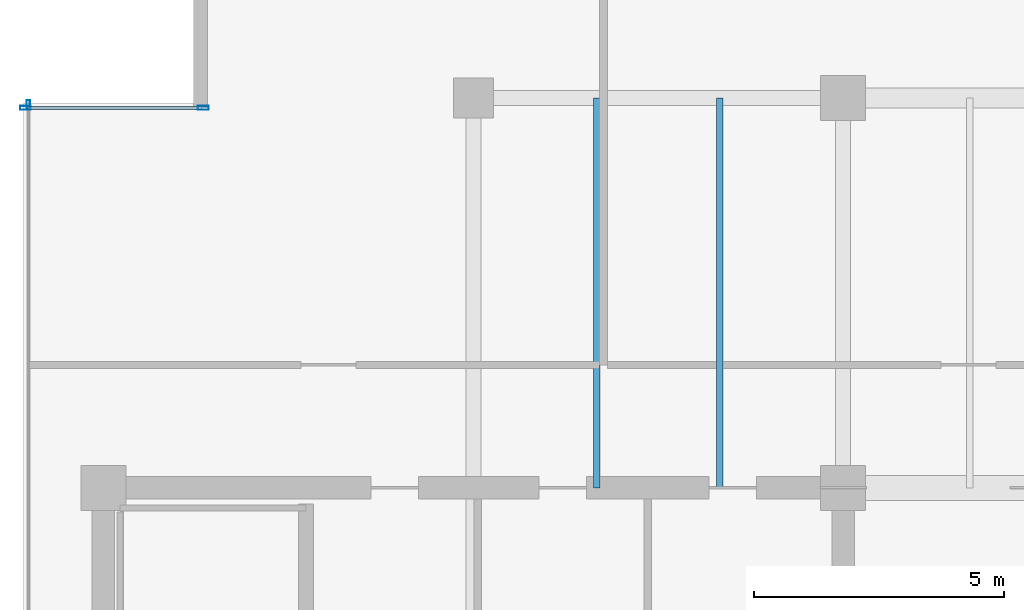
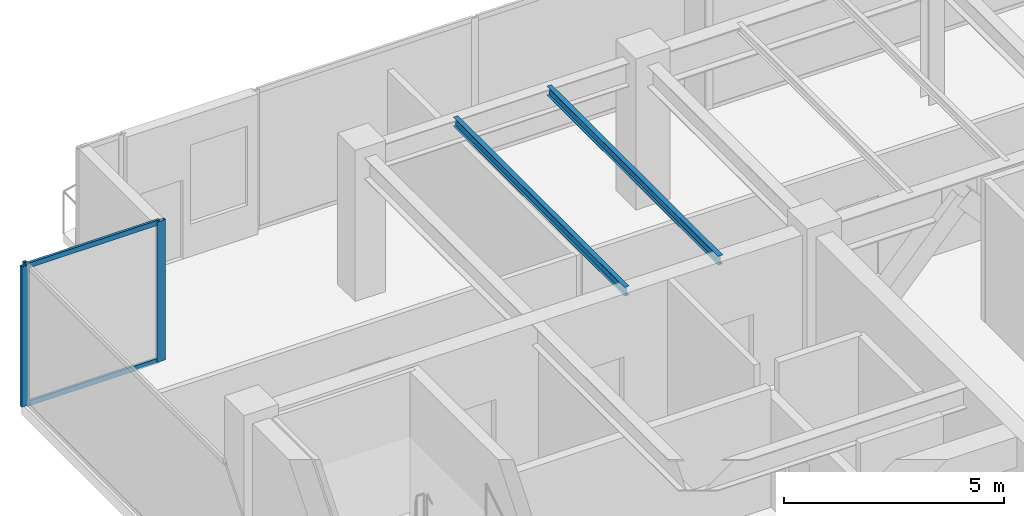
# One storey, part 16 of 31: 5 members, 2 beams, 2 elements without a shape of their own.
"""IFC4 building model written with IfcOpenShell, lengths in metres."""

from ifc_helpers import new_model, si_unit, direction, frame, origin, origin_2d, place, context, subcontext, project, spatial, hollow_rectangle, i_section, extrude, source, transform, mapped, material, layer, layer_set, material_profile, profile_set, type_object, type_shapes, element, aggregate, save


model = new_model("IFC4")

# Units and contexts
model_context = context("Model", 3, precision=1e-05, world=origin(), true_north=direction((0.0, 1.0)))
body_context = subcontext(model_context, "Body", "Model", "MODEL_VIEW")
ifc_project = project(units=[si_unit("LENGTHUNIT", "METRE"), si_unit("AREAUNIT", "SQUARE_METRE"), si_unit("VOLUMEUNIT", "CUBIC_METRE"), si_unit("PLANEANGLEUNIT", "RADIAN"), si_unit("MASSUNIT", "GRAM", prefix="KILO")], contexts=[model_context])

# Site, building, storey
site_placement = place(None, origin())
site = spatial("IfcSite", under=ifc_project, at=site_placement, CompositionType="ELEMENT")
building_placement = place(site_placement, origin())
building = spatial("IfcBuilding", under=site, at=building_placement, Name="Haelvirn Gate Laboratories", CompositionType="ELEMENT")
storey_placement = place(building_placement, frame((0.0, 0.0, 310.199951171875)))
storey = spatial("IfcBuildingStorey", under=building, at=storey_placement, Name="L74", CompositionType="ELEMENT", Elevation=310.199951171875)

# Beams
ifc_material_1 = material(Name="Steel SM355", Category="steel")
ifc_material_profile_1 = material_profile(ifc_material_1, i_section(OverallWidth=0.125, OverallDepth=0.25, WebThickness=0.006103515625, FlangeThickness=0.009033203125, at=origin_2d()), Name="H-250x125x6x9")
ifc_profile_set_1 = profile_set([ifc_material_profile_1], Name="Steel SM355")
beam_type = type_object("IfcBeamType", Name="BM-J-250", PredefinedType="JOIST", material=ifc_profile_set_1)
shared_shape_1 = source(origin(), body_context, "Body", "SweptSolid", [
    extrude(i_section(OverallWidth=0.125, OverallDepth=0.25, WebThickness=0.006103515625, FlangeThickness=0.009033203125, at=origin_2d()), origin(), (0.0, 0.0, 1.0), 7.800048828125),
])
type_shapes(beam_type, [shared_shape_1])
for number, where, z_axis, x_axis, name in (
    (1, (17.27001953125, 33.800048828125, 3.775146484375), (0.0, 1.0, 0.0), (-1.0, 0.0, 0.0), "L74 Composite Lab Joist North X17.27"),
    (2, (19.72998046875, 33.800048828125, 3.775146484375), (0.0, 1.0, 0.0), (-1.0, 0.0, 0.0), "L74 Composite Lab Joist North X19.73"),
):
    element("IfcBeam", number, at=place(storey_placement, frame(where, z_axis=z_axis, x_axis=x_axis)), inside=storey, type_object=beam_type, Name=name, PredefinedType="JOIST", context=body_context, shape_type="MappedRepresentation", body=[
        mapped(shared_shape_1, transform((0.0, 0.0, 0.0), scale=1.0)),
    ])

# Curtain wall, members
ifc_material_2 = material(Name="Anodised bronze unitised aluminium & triple low-E glass", Category="aluminium")
ifc_layer_1 = layer(ifc_material_2, 0.181884765625, Name="CW-SYS-5")
ifc_layer_set_1 = layer_set([ifc_layer_1], Name="Anodised bronze unitised aluminium & triple low-E glass")
curtain_wall_type_1 = type_object("IfcCurtainWallType", Name="CW-SYS-5", PredefinedType="NOTDEFINED", material=ifc_layer_set_1)
curtain_wall_1_placement = place(storey_placement, origin())
curtain_wall_1 = element("IfcCurtainWall", 3, at=curtain_wall_1_placement, inside=storey, type_object=curtain_wall_type_1, Name="L74 Unitised Curtain Wall CW-L74-P0-E16-1", PredefinedType="NOTDEFINED")
ifc_material_3 = material(Name="Extruded aluminium 6063-T6 (anodised bronze)", Category="aluminium")
ifc_material_profile_2 = material_profile(ifc_material_3, hollow_rectangle(XDim=0.06494140625, YDim=0.139892578125, WallThickness=0.00390625, at=origin_2d()), Name="CWT-140x65x4")
ifc_profile_set_2 = profile_set([ifc_material_profile_2], Name="Extruded aluminium 6063-T6 (anodised bronze)")
member_type_1 = type_object("IfcMemberType", Name="CWT-T140", PredefinedType="USERDEFINED", material=ifc_profile_set_2)
shared_shape_2 = source(origin(), body_context, "Body", "SweptSolid", [
    extrude(hollow_rectangle(XDim=0.06494140625, YDim=0.139892578125, WallThickness=0.00390625, at=origin_2d()), origin(), (0.0, 0.0, 1.0), 3.480224609375),
])
type_shapes(member_type_1, [shared_shape_2])
member_1_placement = place(storey_placement, frame((5.8798828125, 41.39990234375, 0.032470703125), z_axis=(1.0, 0.0, 0.0), x_axis=(0.0, 1.0, 0.0)))
member_1 = element("IfcMember", 4, at=member_1_placement, type_object=member_type_1, Name="CW5 transom 1.1", ObjectType="TRANSOM", PredefinedType="USERDEFINED", context=body_context, shape_type="MappedRepresentation", body=[
    mapped(shared_shape_2, transform((0.0, 0.0, 0.0), scale=1.0)),
])
member_2_placement = place(storey_placement, frame((5.8798828125, 41.39990234375, 3.867431640625), z_axis=(1.0, 0.0, 0.0), x_axis=(0.0, 1.0, 0.0)))
member_2 = element("IfcMember", 5, at=member_2_placement, type_object=member_type_1, Name="CW5 transom 1.2", ObjectType="TRANSOM", PredefinedType="USERDEFINED", context=body_context, shape_type="MappedRepresentation", body=[
    mapped(shared_shape_2, transform((0.0, 0.0, 0.0), scale=1.0)),
])

# Curtain wall, member
ifc_layer_2 = layer(ifc_material_2, 0.176025390625, Name="CW-SYS-4")
ifc_layer_set_2 = layer_set([ifc_layer_2], Name="Anodised bronze unitised aluminium & triple low-E glass")
curtain_wall_type_2 = type_object("IfcCurtainWallType", Name="CW-SYS-4", PredefinedType="NOTDEFINED", material=ifc_layer_set_2)
curtain_wall_2_placement = place(storey_placement, origin())
curtain_wall_2 = element("IfcCurtainWall", 6, at=curtain_wall_2_placement, inside=storey, type_object=curtain_wall_type_2, Name="L74 Unitised Curtain Wall CW-L74-P0-E17", PredefinedType="NOTDEFINED")
ifc_material_profile_3 = material_profile(ifc_material_3, hollow_rectangle(XDim=0.070068359375, YDim=0.179931640625, WallThickness=0.0048828125, at=origin_2d()), Name="CWM-180x70x5")
ifc_profile_set_3 = profile_set([ifc_material_profile_3], Name="Extruded aluminium 6063-T6 (anodised bronze)")
member_type_2 = type_object("IfcMemberType", Name="CWM-T180", PredefinedType="MULLION", material=ifc_profile_set_3)
shared_shape_3 = source(origin(), body_context, "Body", "SweptSolid", [
    extrude(hollow_rectangle(XDim=0.070068359375, YDim=0.179931640625, WallThickness=0.0048828125, at=origin_2d()), origin(), (0.0, 0.0, 1.0), 3.900146484375),
])
type_shapes(member_type_2, [shared_shape_3])
member_3_placement = place(storey_placement, frame((5.89990234375, 41.465087890625, 0.0), z_axis=(0.0, 0.0, 1.0), x_axis=(1.0, 0.0, 0.0)))
member_3 = element("IfcMember", 7, at=member_3_placement, type_object=member_type_2, Name="CW4 mullion 1", PredefinedType="MULLION", context=body_context, shape_type="MappedRepresentation", body=[
    mapped(shared_shape_3, transform((0.0, 0.0, 0.0), scale=1.0)),
])
aggregate(curtain_wall_2, [member_3])

# Member
ifc_material_profile_4 = material_profile(ifc_material_3, hollow_rectangle(XDim=0.080078125, YDim=0.219970703125, WallThickness=0.006103515625, at=origin_2d()), Name="CWM-220x80x6")
ifc_profile_set_4 = profile_set([ifc_material_profile_4], Name="Extruded aluminium 6063-T6 (anodised bronze)")
member_type_3 = type_object("IfcMemberType", Name="CWM-T220", PredefinedType="MULLION", material=ifc_profile_set_4)
shared_shape_4 = source(origin(), body_context, "Body", "SweptSolid", [
    extrude(hollow_rectangle(XDim=0.080078125, YDim=0.219970703125, WallThickness=0.006103515625, at=origin_2d()), origin(), (0.0, 0.0, 1.0), 3.900146484375),
])
type_shapes(member_type_3, [shared_shape_4])
member_4_placement = place(storey_placement, frame((5.840087890625, 41.39990234375, 0.0), z_axis=(0.0, 0.0, 1.0), x_axis=(0.0, 1.0, 0.0)))
member_4 = element("IfcMember", 8, at=member_4_placement, type_object=member_type_3, Name="CW5 mullion 1", PredefinedType="MULLION", context=body_context, shape_type="MappedRepresentation", body=[
    mapped(shared_shape_4, transform((0.0, 0.0, 0.0), scale=1.0)),
])

member_5_placement = place(storey_placement, frame((9.39990234375, 41.39990234375, 0.0), z_axis=(0.0, 0.0, 1.0), x_axis=(0.0, 1.0, 0.0)))
member_5 = element("IfcMember", 9, at=member_5_placement, type_object=member_type_3, Name="CW5 mullion 2", PredefinedType="MULLION", context=body_context, shape_type="MappedRepresentation", body=[
    mapped(shared_shape_4, transform((0.0, 0.0, 0.0), scale=1.0)),
])

aggregate(curtain_wall_1, [member_4, member_5, member_1, member_2])

save(model, "model.ifc")
